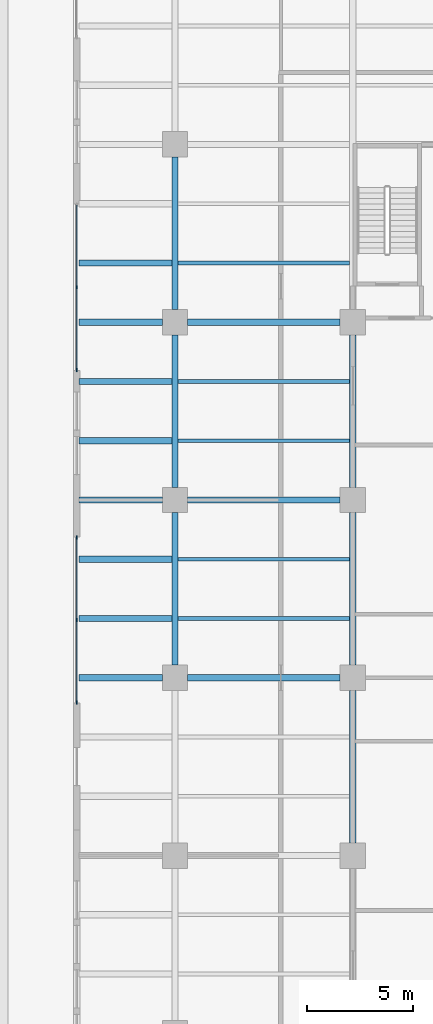
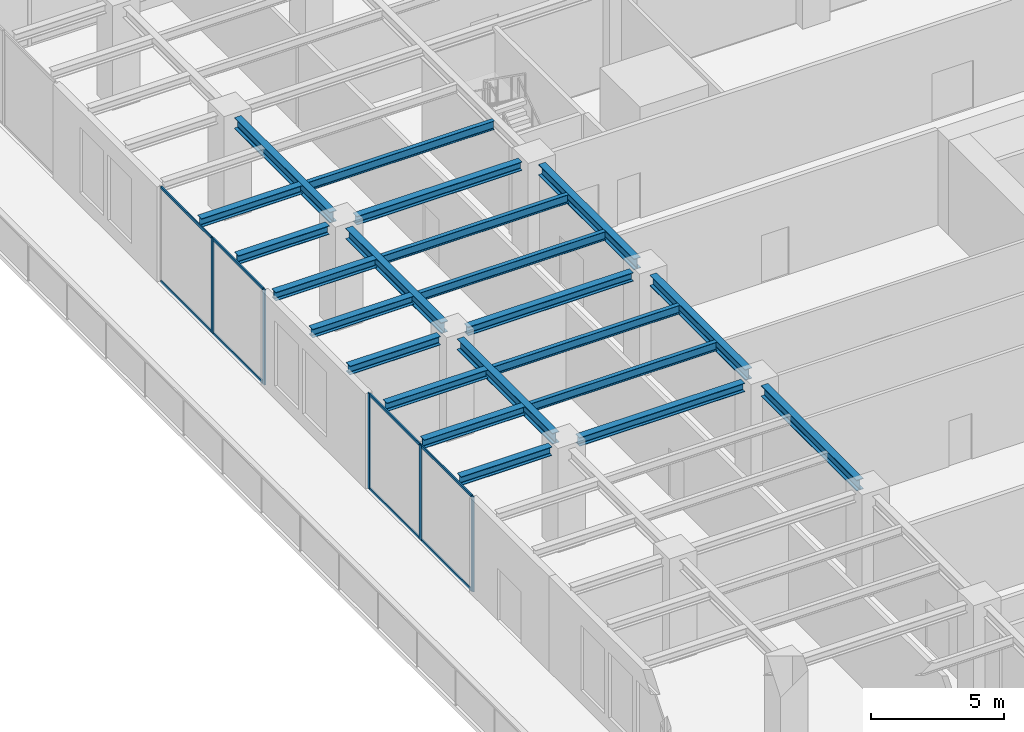
# One storey, part 6 of 32: 22 beams, 13 members, 2 elements without a shape of their own.
"""IFC4 building model written with IfcOpenShell, lengths in metres."""

from ifc_helpers import new_model, si_unit, direction, frame, origin, origin_2d, place, context, subcontext, project, spatial, rectangle, i_section, extrude, material, material_profile, profile_set, type_object, element, aggregate, save


model = new_model("IFC4")

# Units and contexts
model_context = context("Model", 3, precision=1e-05, world=origin(), true_north=direction((0.0, 1.0)))
body_context = subcontext(model_context, "Body", "Model", "MODEL_VIEW")
ifc_project = project(units=[si_unit("LENGTHUNIT", "METRE"), si_unit("AREAUNIT", "SQUARE_METRE"), si_unit("VOLUMEUNIT", "CUBIC_METRE"), si_unit("PLANEANGLEUNIT", "RADIAN"), si_unit("MASSUNIT", "GRAM", prefix="KILO")], contexts=[model_context])

# Site, building, storey
site_placement = place(None, origin())
site = spatial("IfcSite", under=ifc_project, at=site_placement, CompositionType="ELEMENT")
building_placement = place(site_placement, origin())
building = spatial("IfcBuilding", under=site, at=building_placement, Name="Khepri Terraces", CompositionType="ELEMENT")
storey_placement = place(building_placement, frame((0.0, 0.0, 12.0)))
storey = spatial("IfcBuildingStorey", under=building, at=storey_placement, Name="L02", CompositionType="ELEMENT", Elevation=12.0)

# Curtain wall, members
ifc_material_1 = material(Name="Anodised aluminium bronze curtain wall", Category="aluminium")
curtain_wall_type = type_object("IfcCurtainWallType", Name="CW-SYS2-PODIUM", PredefinedType="NOTDEFINED", material=ifc_material_1)
curtain_wall_1_placement = place(storey_placement, origin())
curtain_wall_1 = element("IfcCurtainWall", 1, at=curtain_wall_1_placement, inside=storey, type_object=curtain_wall_type, Name="Curtain wall CW2 L02 W", PredefinedType="NOTDEFINED")
ifc_material_2 = material(Name="Anodised aluminium bronze", Category="aluminium")
ifc_material_profile_1 = material_profile(ifc_material_2, rectangle(XDim=0.06005859375, YDim=0.159912109375, at=origin_2d()), Name="Anodised aluminium bronze", Category="aluminium")
ifc_profile_set_1 = profile_set([ifc_material_profile_1], Name="Anodised aluminium bronze")
member_type_1 = type_object("IfcMemberType", Name="CW-MULLION-60x160", PredefinedType="MULLION", material=ifc_profile_set_1)
member_1_placement = place(storey_placement, frame((-38.25, 18.449951171875, 0.0), z_axis=(0.0, 0.0, 1.0), x_axis=(1.0, 0.0, 0.0)))
member_1 = element("IfcMember", 2, at=member_1_placement, type_object=member_type_1, Name="CW2 mullion 2", PredefinedType="MULLION", context=body_context, shape_type="SweptSolid", body=[
    extrude(rectangle(XDim=0.06005859375, YDim=0.159912109375, at=origin_2d()), origin(), (0.0, 0.0, 1.0), 4.3798828125),
])
member_2_placement = place(storey_placement, frame((-38.25, 14.550048828125, 0.0), z_axis=(0.0, 0.0, 1.0), x_axis=(1.0, 0.0, 0.0)))
member_2 = element("IfcMember", 3, at=member_2_placement, type_object=member_type_1, Name="CW2 mullion 3", PredefinedType="MULLION", context=body_context, shape_type="SweptSolid", body=[
    extrude(rectangle(XDim=0.06005859375, YDim=0.159912109375, at=origin_2d()), origin(), (0.0, 0.0, 1.0), 4.3798828125),
])

curtain_wall_2_placement = place(storey_placement, origin())
curtain_wall_2 = element("IfcCurtainWall", 4, at=curtain_wall_2_placement, inside=storey, type_object=curtain_wall_type, Name="Curtain wall CW2 L02 W", PredefinedType="NOTDEFINED")
member_3_placement = place(storey_placement, frame((-38.25, 6.6298828125, 0.0), z_axis=(0.0, 0.0, 1.0), x_axis=(1.0, 0.0, 0.0)))
member_3 = element("IfcMember", 5, at=member_3_placement, type_object=member_type_1, Name="CW2 mullion 1", PredefinedType="MULLION", context=body_context, shape_type="SweptSolid", body=[
    extrude(rectangle(XDim=0.06005859375, YDim=0.159912109375, at=origin_2d()), origin(), (0.0, 0.0, 1.0), 4.3798828125),
])
member_4_placement = place(storey_placement, frame((-38.25, 2.72998046875, 0.0), z_axis=(0.0, 0.0, 1.0), x_axis=(1.0, 0.0, 0.0)))
member_4 = element("IfcMember", 6, at=member_4_placement, type_object=member_type_1, Name="CW2 mullion 2", PredefinedType="MULLION", context=body_context, shape_type="SweptSolid", body=[
    extrude(rectangle(XDim=0.06005859375, YDim=0.159912109375, at=origin_2d()), origin(), (0.0, 0.0, 1.0), 4.3798828125),
])
member_5_placement = place(storey_placement, frame((-38.25, -1.169921875, 0.0), z_axis=(0.0, 0.0, 1.0), x_axis=(1.0, 0.0, 0.0)))
member_5 = element("IfcMember", 7, at=member_5_placement, type_object=member_type_1, Name="CW2 mullion 3", PredefinedType="MULLION", context=body_context, shape_type="SweptSolid", body=[
    extrude(rectangle(XDim=0.06005859375, YDim=0.159912109375, at=origin_2d()), origin(), (0.0, 0.0, 1.0), 4.3798828125),
])

# Member
ifc_material_profile_2 = material_profile(ifc_material_2, rectangle(XDim=0.06005859375, YDim=0.1201171875, at=origin_2d()), Name="Anodised aluminium bronze", Category="aluminium")
ifc_profile_set_2 = profile_set([ifc_material_profile_2], Name="Anodised aluminium bronze")
member_type_2 = type_object("IfcMemberType", Name="CW-TRANSOM-60x120", PredefinedType="USERDEFINED", material=ifc_profile_set_2)
member_6_placement = place(storey_placement, frame((-38.25, 22.320068359375, 0.030029296875), z_axis=(0.0, -1.0, 0.0), x_axis=(1.0, 0.0, 0.0)))
member_6 = element("IfcMember", 8, at=member_6_placement, type_object=member_type_2, Name="CW2 transom 1.1", ObjectType="TRANSOM", PredefinedType="USERDEFINED", context=body_context, shape_type="SweptSolid", body=[
    extrude(rectangle(XDim=0.06005859375, YDim=0.1201171875, at=origin_2d()), origin(), (0.0, 0.0, 1.0), 3.840087890625),
])

member_7_placement = place(storey_placement, frame((-38.25, 22.320068359375, 4.35009765625), z_axis=(0.0, -1.0, 0.0), x_axis=(1.0, 0.0, 0.0)))
member_7 = element("IfcMember", 9, at=member_7_placement, type_object=member_type_2, Name="CW2 transom 1.2", ObjectType="TRANSOM", PredefinedType="USERDEFINED", context=body_context, shape_type="SweptSolid", body=[
    extrude(rectangle(XDim=0.06005859375, YDim=0.1201171875, at=origin_2d()), origin(), (0.0, 0.0, 1.0), 3.840087890625),
])

member_8_placement = place(storey_placement, frame((-38.25, 18.419921875, 0.030029296875), z_axis=(0.0, -1.0, 0.0), x_axis=(1.0, 0.0, 0.0)))
member_8 = element("IfcMember", 10, at=member_8_placement, type_object=member_type_2, Name="CW2 transom 2.1", ObjectType="TRANSOM", PredefinedType="USERDEFINED", context=body_context, shape_type="SweptSolid", body=[
    extrude(rectangle(XDim=0.06005859375, YDim=0.1201171875, at=origin_2d()), origin(), (0.0, 0.0, 1.0), 3.83984375),
])

member_9_placement = place(storey_placement, frame((-38.25, 18.419921875, 4.35009765625), z_axis=(0.0, -1.0, 0.0), x_axis=(1.0, 0.0, 0.0)))
member_9 = element("IfcMember", 11, at=member_9_placement, type_object=member_type_2, Name="CW2 transom 2.2", ObjectType="TRANSOM", PredefinedType="USERDEFINED", context=body_context, shape_type="SweptSolid", body=[
    extrude(rectangle(XDim=0.06005859375, YDim=0.1201171875, at=origin_2d()), origin(), (0.0, 0.0, 1.0), 3.83984375),
])

aggregate(curtain_wall_1, [member_1, member_2, member_6, member_7, member_8, member_9])

member_10_placement = place(storey_placement, frame((-38.25, 6.60009765625, 0.030029296875), z_axis=(0.0, -1.0, 0.0), x_axis=(1.0, 0.0, 0.0)))
member_10 = element("IfcMember", 12, at=member_10_placement, type_object=member_type_2, Name="CW2 transom 1.1", ObjectType="TRANSOM", PredefinedType="USERDEFINED", context=body_context, shape_type="SweptSolid", body=[
    extrude(rectangle(XDim=0.06005859375, YDim=0.1201171875, at=origin_2d()), origin(), (0.0, 0.0, 1.0), 3.840087890625),
])

member_11_placement = place(storey_placement, frame((-38.25, 6.60009765625, 4.35009765625), z_axis=(0.0, -1.0, 0.0), x_axis=(1.0, 0.0, 0.0)))
member_11 = element("IfcMember", 13, at=member_11_placement, type_object=member_type_2, Name="CW2 transom 1.2", ObjectType="TRANSOM", PredefinedType="USERDEFINED", context=body_context, shape_type="SweptSolid", body=[
    extrude(rectangle(XDim=0.06005859375, YDim=0.1201171875, at=origin_2d()), origin(), (0.0, 0.0, 1.0), 3.840087890625),
])

member_12_placement = place(storey_placement, frame((-38.25, 2.699951171875, 0.030029296875), z_axis=(0.0, -1.0, 0.0), x_axis=(1.0, 0.0, 0.0)))
member_12 = element("IfcMember", 14, at=member_12_placement, type_object=member_type_2, Name="CW2 transom 2.1", ObjectType="TRANSOM", PredefinedType="USERDEFINED", context=body_context, shape_type="SweptSolid", body=[
    extrude(rectangle(XDim=0.06005859375, YDim=0.1201171875, at=origin_2d()), origin(), (0.0, 0.0, 1.0), 3.83984375),
])

member_13_placement = place(storey_placement, frame((-38.25, 2.699951171875, 4.35009765625), z_axis=(0.0, -1.0, 0.0), x_axis=(1.0, 0.0, 0.0)))
member_13 = element("IfcMember", 15, at=member_13_placement, type_object=member_type_2, Name="CW2 transom 2.2", ObjectType="TRANSOM", PredefinedType="USERDEFINED", context=body_context, shape_type="SweptSolid", body=[
    extrude(rectangle(XDim=0.06005859375, YDim=0.1201171875, at=origin_2d()), origin(), (0.0, 0.0, 1.0), 3.83984375),
])

aggregate(curtain_wall_2, [member_3, member_4, member_5, member_10, member_11, member_12, member_13])

# Beams
ifc_material_3 = material(Name="Steel S355", Category="steel")
ifc_material_profile_3 = material_profile(ifc_material_3, i_section(OverallWidth=0.300048828125, OverallDepth=0.389892578125, WebThickness=0.010986328125, FlangeThickness=0.01904296875, FilletRadius=0.027099609375, at=origin_2d()), Name="Steel S355", Category="steel")
ifc_profile_set_3 = profile_set([ifc_material_profile_3], Name="Steel S355")
beam_type_1 = type_object("IfcBeamType", Name="Podium cantilever joist L03 HEA 400", PredefinedType="JOIST", material=ifc_profile_set_3)
for number, where, z_axis, x_axis, name in (
    (16, (-38.14990234375, 2.800048828125, 4.405029296875), (1.0, 0.0, 0.0), (0.0, 1.0, 0.0), "Podium cantilever joist L03 085"),
    (17, (-38.14990234375, 5.60009765625, 4.405029296875), (1.0, 0.0, 0.0), (0.0, 1.0, 0.0), "Podium cantilever joist L03 089"),
    (18, (-38.14990234375, 11.199951171875, 4.405029296875), (1.0, 0.0, 0.0), (0.0, 1.0, 0.0), "Podium cantilever joist L03 097"),
    (19, (-38.14990234375, 14.0, 4.405029296875), (1.0, 0.0, 0.0), (0.0, 1.0, 0.0), "Podium cantilever joist L03 101"),
    (20, (-38.14990234375, 19.60009765625, 4.405029296875), (1.0, 0.0, 0.0), (0.0, 1.0, 0.0), "Podium cantilever joist L03 109"),
):
    element("IfcBeam", number, at=place(storey_placement, frame(where, z_axis=z_axis, x_axis=x_axis)), inside=storey, type_object=beam_type_1, Name=name, PredefinedType="JOIST", context=body_context, shape_type="SweptSolid", body=[
        extrude(i_section(OverallWidth=0.300048828125, OverallDepth=0.389892578125, WebThickness=0.010986328125, FlangeThickness=0.01904296875, FilletRadius=0.027099609375, at=origin_2d()), origin(), (0.0, 0.0, 1.0), 4.39990234375),
    ])
ifc_material_profile_4 = material_profile(ifc_material_3, i_section(OverallWidth=0.300048828125, OverallDepth=0.5, WebThickness=0.014404296875, FlangeThickness=0.028076171875, FilletRadius=0.027099609375, at=origin_2d()), Name="Steel S355", Category="steel")
ifc_profile_set_4 = profile_set([ifc_material_profile_4], Name="Steel S355")
beam_type_2 = type_object("IfcBeamType", Name="Podium girder L03 HEB 500", PredefinedType="BEAM", material=ifc_profile_set_4)
for number, where, z_axis, x_axis, name in (
    (21, (-33.60009765625, 0.60009765625, 4.35009765625), (0.0, 1.0, 0.0), (-1.0, 0.0, 0.0), "Podium girder L03 006"),
    (22, (-33.60009765625, 9.0, 4.35009765625), (0.0, 1.0, 0.0), (-1.0, 0.0, 0.0), "Podium girder L03 007"),
):
    element("IfcBeam", number, at=place(storey_placement, frame(where, z_axis=z_axis, x_axis=x_axis)), inside=storey, type_object=beam_type_2, Name=name, PredefinedType="BEAM", context=body_context, shape_type="SweptSolid", body=[
        extrude(i_section(OverallWidth=0.300048828125, OverallDepth=0.5, WebThickness=0.014404296875, FlangeThickness=0.028076171875, FilletRadius=0.027099609375, at=origin_2d()), origin(), (0.0, 0.0, 1.0), 7.199951171875),
    ])
beam_1_placement = place(storey_placement, frame((-33.60009765625, 17.39990234375, 4.35009765625), z_axis=(0.0, 1.0, 0.0), x_axis=(-1.0, 0.0, 0.0)))
element("IfcBeam", 23, at=beam_1_placement, inside=storey, type_object=beam_type_2, Name="Podium girder L03 008", PredefinedType="BEAM", context=body_context, shape_type="SweptSolid", body=[
    extrude(i_section(OverallWidth=0.300048828125, OverallDepth=0.5, WebThickness=0.014404296875, FlangeThickness=0.028076171875, FilletRadius=0.027099609375, at=origin_2d()), origin(), (0.0, 0.0, 1.0), 7.2001953125),
])
ifc_material_profile_5 = material_profile(ifc_material_3, i_section(OverallWidth=0.300048828125, OverallDepth=0.39990234375, WebThickness=0.013427734375, FlangeThickness=0.02392578125, FilletRadius=0.027099609375, at=origin_2d()), Name="Steel S355", Category="steel")
ifc_profile_set_5 = profile_set([ifc_material_profile_5], Name="Steel S355")
beam_type_3 = type_object("IfcBeamType", Name="Podium girder L03 grid line HEB 400", PredefinedType="BEAM", material=ifc_profile_set_5)
beam_2_placement = place(storey_placement, frame((-38.14990234375, 0.0, 4.39990234375), z_axis=(1.0, 0.0, 0.0), x_axis=(0.0, 1.0, 0.0)))
element("IfcBeam", 24, at=beam_2_placement, inside=storey, type_object=beam_type_3, Name="Podium grid-line girder L03 081", PredefinedType="BEAM", context=body_context, shape_type="SweptSolid", body=[
    extrude(i_section(OverallWidth=0.300048828125, OverallDepth=0.39990234375, WebThickness=0.013427734375, FlangeThickness=0.02392578125, FilletRadius=0.027099609375, at=origin_2d()), origin(), (0.0, 0.0, 1.0), 3.949951171875),
])
beam_3_placement = place(storey_placement, frame((-33.0, 0.0, 4.39990234375), z_axis=(1.0, 0.0, 0.0), x_axis=(0.0, 1.0, 0.0)))
element("IfcBeam", 25, at=beam_3_placement, inside=storey, type_object=beam_type_3, Name="Podium grid-line girder L03 082", PredefinedType="BEAM", context=body_context, shape_type="SweptSolid", body=[
    extrude(i_section(OverallWidth=0.300048828125, OverallDepth=0.39990234375, WebThickness=0.013427734375, FlangeThickness=0.02392578125, FilletRadius=0.027099609375, at=origin_2d()), origin(), (0.0, 0.0, 1.0), 7.199951171875),
])
beam_4_placement = place(storey_placement, frame((-38.14990234375, 8.39990234375, 4.39990234375), z_axis=(1.0, 0.0, 0.0), x_axis=(0.0, 1.0, 0.0)))
element("IfcBeam", 26, at=beam_4_placement, inside=storey, type_object=beam_type_3, Name="Podium grid-line girder L03 093", PredefinedType="BEAM", context=body_context, shape_type="SweptSolid", body=[
    extrude(i_section(OverallWidth=0.300048828125, OverallDepth=0.39990234375, WebThickness=0.013427734375, FlangeThickness=0.02392578125, FilletRadius=0.027099609375, at=origin_2d()), origin(), (0.0, 0.0, 1.0), 3.949951171875),
])
beam_5_placement = place(storey_placement, frame((-33.0, 8.39990234375, 4.39990234375), z_axis=(1.0, 0.0, 0.0), x_axis=(0.0, 1.0, 0.0)))
element("IfcBeam", 27, at=beam_5_placement, inside=storey, type_object=beam_type_3, Name="Podium grid-line girder L03 094", PredefinedType="BEAM", context=body_context, shape_type="SweptSolid", body=[
    extrude(i_section(OverallWidth=0.300048828125, OverallDepth=0.39990234375, WebThickness=0.013427734375, FlangeThickness=0.02392578125, FilletRadius=0.027099609375, at=origin_2d()), origin(), (0.0, 0.0, 1.0), 7.199951171875),
])
beam_6_placement = place(storey_placement, frame((-38.14990234375, 16.800048828125, 4.39990234375), z_axis=(1.0, 0.0, 0.0), x_axis=(0.0, 1.0, 0.0)))
element("IfcBeam", 28, at=beam_6_placement, inside=storey, type_object=beam_type_3, Name="Podium grid-line girder L03 105", PredefinedType="BEAM", context=body_context, shape_type="SweptSolid", body=[
    extrude(i_section(OverallWidth=0.300048828125, OverallDepth=0.39990234375, WebThickness=0.013427734375, FlangeThickness=0.02392578125, FilletRadius=0.027099609375, at=origin_2d()), origin(), (0.0, 0.0, 1.0), 3.949951171875),
])
beam_7_placement = place(storey_placement, frame((-33.0, 16.800048828125, 4.39990234375), z_axis=(1.0, 0.0, 0.0), x_axis=(0.0, 1.0, 0.0)))
element("IfcBeam", 29, at=beam_7_placement, inside=storey, type_object=beam_type_3, Name="Podium grid-line girder L03 106", PredefinedType="BEAM", context=body_context, shape_type="SweptSolid", body=[
    extrude(i_section(OverallWidth=0.300048828125, OverallDepth=0.39990234375, WebThickness=0.013427734375, FlangeThickness=0.02392578125, FilletRadius=0.027099609375, at=origin_2d()), origin(), (0.0, 0.0, 1.0), 7.199951171875),
])
ifc_material_profile_6 = material_profile(ifc_material_3, i_section(OverallWidth=0.179931640625, OverallDepth=0.39990234375, WebThickness=0.008544921875, FlangeThickness=0.013427734375, FilletRadius=0.02099609375, at=origin_2d()), Name="Steel S355", Category="steel")
ifc_profile_set_6 = profile_set([ifc_material_profile_6], Name="Steel S355")
beam_type_4 = type_object("IfcBeamType", Name="Podium joist L03 IPE 400", PredefinedType="JOIST", material=ifc_profile_set_6)
for number, where, z_axis, x_axis, name in (
    (30, (-33.449951171875, 2.800048828125, 4.39990234375), (1.0, 0.0, 0.0), (0.0, 1.0, 0.0), "Podium joist L03 086"),
    (31, (-33.449951171875, 5.60009765625, 4.39990234375), (1.0, 0.0, 0.0), (0.0, 1.0, 0.0), "Podium joist L03 090"),
    (32, (-33.449951171875, 11.199951171875, 4.39990234375), (1.0, 0.0, 0.0), (0.0, 1.0, 0.0), "Podium joist L03 098"),
    (33, (-33.449951171875, 14.0, 4.39990234375), (1.0, 0.0, 0.0), (0.0, 1.0, 0.0), "Podium joist L03 102"),
    (34, (-33.449951171875, 19.60009765625, 4.39990234375), (1.0, 0.0, 0.0), (0.0, 1.0, 0.0), "Podium joist L03 110"),
):
    element("IfcBeam", number, at=place(storey_placement, frame(where, z_axis=z_axis, x_axis=x_axis)), inside=storey, type_object=beam_type_4, Name=name, PredefinedType="JOIST", context=body_context, shape_type="SweptSolid", body=[
        extrude(i_section(OverallWidth=0.179931640625, OverallDepth=0.39990234375, WebThickness=0.008544921875, FlangeThickness=0.013427734375, FilletRadius=0.02099609375, at=origin_2d()), origin(), (0.0, 0.0, 1.0), 8.099853515625),
    ])
ifc_material_profile_7 = material_profile(ifc_material_3, i_section(OverallWidth=0.300048828125, OverallDepth=0.5, WebThickness=0.014404296875, FlangeThickness=0.028076171875, FilletRadius=0.027099609375, at=origin_2d()), Name="Steel S355", Category="steel")
ifc_profile_set_7 = profile_set([ifc_material_profile_7], Name="Steel S355")
beam_type_5 = type_object("IfcBeamType", Name="Tower ring beam HEB 500", PredefinedType="BEAM", material=ifc_profile_set_7)
for number, where, z_axis, x_axis, name in (
    (35, (-25.199951171875, -7.800048828125, 4.35009765625), (0.0, 1.0, 0.0), (-1.0, 0.0, 0.0), "Ring beam L03 014"),
    (36, (-25.199951171875, 0.60009765625, 4.35009765625), (0.0, 1.0, 0.0), (-1.0, 0.0, 0.0), "Ring beam L03 015"),
    (37, (-25.199951171875, 9.0, 4.35009765625), (0.0, 1.0, 0.0), (-1.0, 0.0, 0.0), "Ring beam L03 016"),
):
    element("IfcBeam", number, at=place(storey_placement, frame(where, z_axis=z_axis, x_axis=x_axis)), inside=storey, type_object=beam_type_5, Name=name, PredefinedType="BEAM", context=body_context, shape_type="SweptSolid", body=[
        extrude(i_section(OverallWidth=0.300048828125, OverallDepth=0.5, WebThickness=0.014404296875, FlangeThickness=0.028076171875, FilletRadius=0.027099609375, at=origin_2d()), origin(), (0.0, 0.0, 1.0), 7.199951171875),
    ])

save(model, "model.ifc")
